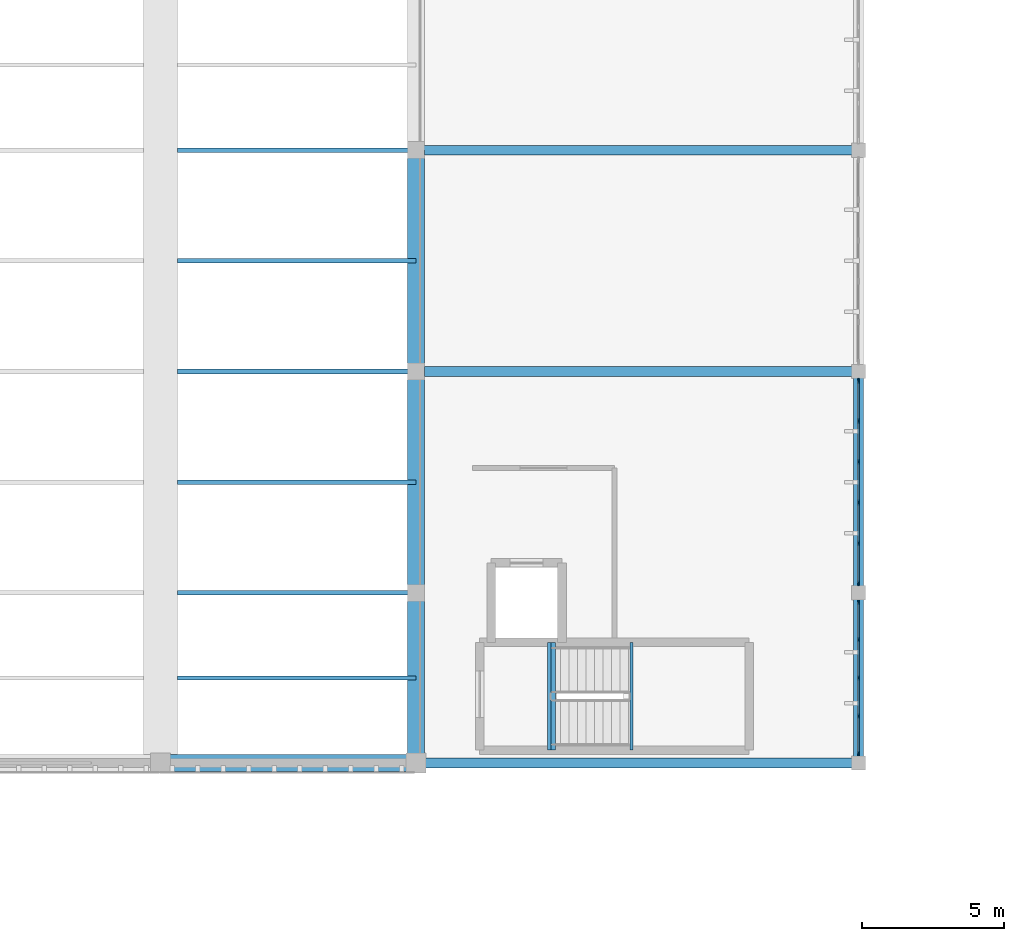
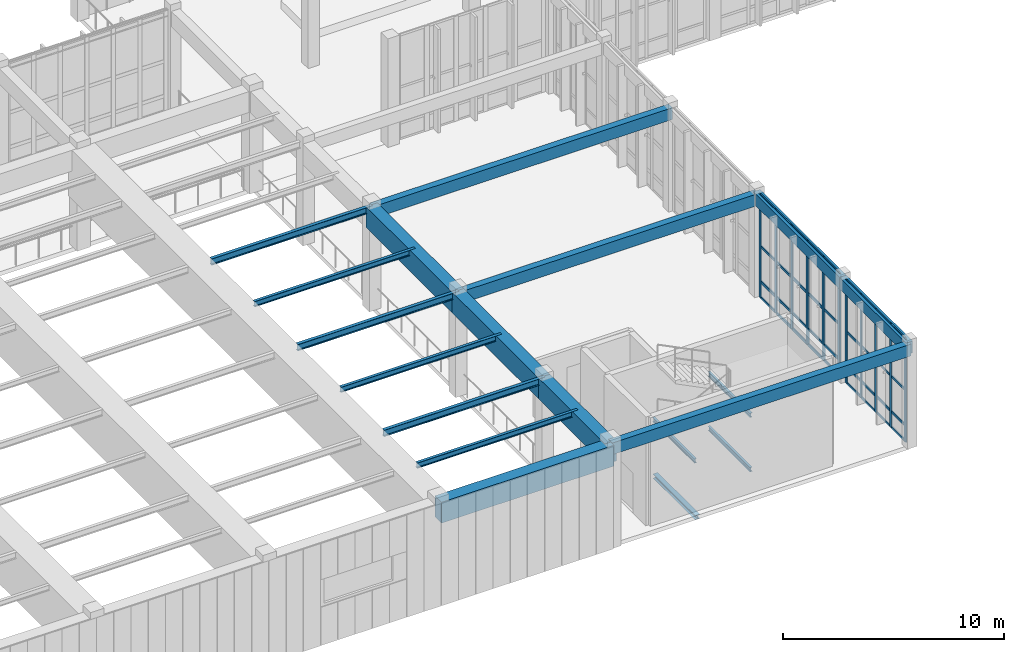
# One storey, part 44 of 105: 47 members, 19 beams, 2 elements without a shape of their own.
"""IFC4 building model written with IfcOpenShell, lengths in metres."""

from ifc_helpers import new_model, si_unit, direction, frame, origin, origin_2d, place, context, subcontext, project, spatial, rectangle, i_section, extrude, material, material_profile, profile_set, type_object, element, aggregate, save


model = new_model("IFC4")

# Units and contexts
model_context = context("Model", 3, precision=1e-05, world=origin(), true_north=direction((0.0, 1.0)))
body_context = subcontext(model_context, "Body", "Model", "MODEL_VIEW")
ifc_project = project(units=[si_unit("LENGTHUNIT", "METRE"), si_unit("AREAUNIT", "SQUARE_METRE"), si_unit("VOLUMEUNIT", "CUBIC_METRE"), si_unit("PLANEANGLEUNIT", "RADIAN"), si_unit("MASSUNIT", "GRAM", prefix="KILO")], contexts=[model_context])

# Site, building, storey
site_placement = place(None, origin())
site = spatial("IfcSite", under=ifc_project, at=site_placement, CompositionType="ELEMENT")
building_placement = place(site_placement, origin())
building = spatial("IfcBuilding", under=site, at=building_placement, Name="Tizgana Railside Sports Hall", CompositionType="ELEMENT")
storey_placement = place(building_placement, frame((0.0, 0.0, 6.0)))
storey = spatial("IfcBuildingStorey", under=building, at=storey_placement, Name="L01", CompositionType="ELEMENT", Elevation=6.0)

# Beams
ifc_material_1 = material(Name="Concrete C35/45", Category="concrete")
ifc_material_profile_1 = material_profile(ifc_material_1, rectangle(XDim=0.35009765625, YDim=0.64990234375, at=origin_2d()), Name="RCB 350x650")
ifc_profile_set_1 = profile_set([ifc_material_profile_1], Name="Concrete C35/45")
beam_type_1 = type_object("IfcBeamType", Name="Concrete Beam RCB 350x650", PredefinedType="BEAM", material=ifc_profile_set_1)
for number, where, z_axis, x_axis, name in (
    (1, (133.800048828125, 40.800048828125, 5.361083984375), (1.0, 0.0, 0.0), (0.0, 1.0, 0.0), "L01 BEM-1381"),
    (2, (133.800048828125, 54.60009765625, 5.31103515625), (1.0, 0.0, 0.0), (0.0, 1.0, 0.0), "L01 BEM-1382"),
    (3, (133.800048828125, 62.39990234375, 5.31103515625), (1.0, 0.0, 0.0), (0.0, 1.0, 0.0), "L01 BEM-1383"),
):
    element("IfcBeam", number, at=place(storey_placement, frame(where, z_axis=z_axis, x_axis=x_axis)), inside=storey, type_object=beam_type_1, Name=name, PredefinedType="BEAM", context=body_context, shape_type="SweptSolid", body=[
        extrude(rectangle(XDim=0.35009765625, YDim=0.64990234375, at=origin_2d()), origin(), (0.0, 0.0, 1.0), 15.599853515625),
    ])
beam_1_placement = place(storey_placement, frame((149.39990234375, 40.800048828125, 5.361083984375), z_axis=(0.0, 1.0, 0.0), x_axis=(-1.0, 0.0, 0.0)))
element("IfcBeam", 4, at=beam_1_placement, inside=storey, type_object=beam_type_1, Name="L01 BEM-1385", PredefinedType="BEAM", context=body_context, shape_type="SweptSolid", body=[
    extrude(rectangle(XDim=0.35009765625, YDim=0.64990234375, at=origin_2d()), origin(), (0.0, 0.0, 1.0), 6.0),
])
beam_2_placement = place(storey_placement, frame((149.39990234375, 46.800048828125, 5.361083984375), z_axis=(0.0, 1.0, 0.0), x_axis=(-1.0, 0.0, 0.0)))
element("IfcBeam", 5, at=beam_2_placement, inside=storey, type_object=beam_type_1, Name="L01 BEM-1386", PredefinedType="BEAM", context=body_context, shape_type="SweptSolid", body=[
    extrude(rectangle(XDim=0.35009765625, YDim=0.64990234375, at=origin_2d()), origin(), (0.0, 0.0, 1.0), 7.800048828125),
])
ifc_material_2 = material(Name="Concrete C40/50", Category="concrete")
ifc_material_profile_2 = material_profile(ifc_material_2, rectangle(XDim=0.60009765625, YDim=1.14990234375, at=origin_2d()), Name="RCB 600x1150")
ifc_profile_set_2 = profile_set([ifc_material_profile_2], Name="Concrete C40/50")
beam_type_2 = type_object("IfcBeamType", Name="Concrete Beam RCB 600x1150", PredefinedType="BEAM", material=ifc_profile_set_2)
beam_3_placement = place(storey_placement, frame((133.800048828125, 40.800048828125, 5.06103515625), z_axis=(0.0, 1.0, 0.0), x_axis=(-1.0, 0.0, 0.0)))
element("IfcBeam", 6, at=beam_3_placement, inside=storey, type_object=beam_type_2, Name="L01 CBG-0006", PredefinedType="BEAM", context=body_context, shape_type="SweptSolid", body=[
    extrude(rectangle(XDim=0.60009765625, YDim=1.14990234375, at=origin_2d()), origin(), (0.0, 0.0, 1.0), 6.0),
])
beam_4_placement = place(storey_placement, frame((133.800048828125, 46.800048828125, 5.06103515625), z_axis=(0.0, 1.0, 0.0), x_axis=(-1.0, 0.0, 0.0)))
element("IfcBeam", 7, at=beam_4_placement, inside=storey, type_object=beam_type_2, Name="L01 CBG-0007", PredefinedType="BEAM", context=body_context, shape_type="SweptSolid", body=[
    extrude(rectangle(XDim=0.60009765625, YDim=1.14990234375, at=origin_2d()), origin(), (0.0, 0.0, 1.0), 7.800048828125),
])
beam_5_placement = place(storey_placement, frame((133.800048828125, 54.60009765625, 5.06103515625), z_axis=(0.0, 1.0, 0.0), x_axis=(-1.0, 0.0, 0.0)))
element("IfcBeam", 8, at=beam_5_placement, inside=storey, type_object=beam_type_2, Name="L01 CBG-0008", PredefinedType="BEAM", context=body_context, shape_type="SweptSolid", body=[
    extrude(rectangle(XDim=0.60009765625, YDim=1.14990234375, at=origin_2d()), origin(), (0.0, 0.0, 1.0), 7.7998046875),
])
beam_6_placement = place(storey_placement, frame((124.800048828125, 40.800048828125, 5.06103515625), z_axis=(1.0, 0.0, 0.0), x_axis=(0.0, 1.0, 0.0)))
element("IfcBeam", 9, at=beam_6_placement, inside=storey, type_object=beam_type_2, Name="L01 BEM-0321", PredefinedType="BEAM", context=body_context, shape_type="SweptSolid", body=[
    extrude(rectangle(XDim=0.60009765625, YDim=1.14990234375, at=origin_2d()), origin(), (0.0, 0.0, 1.0), 9.0),
])

# Curtain wall, members
ifc_material_3 = material(Name="Anodised aluminium and glass", Category="aluminium")
curtain_wall_type_1 = type_object("IfcCurtainWallType", Name="Unitised Curtain Wall EastHall 1500", PredefinedType="NOTDEFINED", material=ifc_material_3)
curtain_wall_1_placement = place(storey_placement, origin())
curtain_wall_1 = element("IfcCurtainWall", 10, at=curtain_wall_1_placement, inside=storey, type_object=curtain_wall_type_1, Name="L01 Curtain Wall CW-0031", PredefinedType="NOTDEFINED")
ifc_material_4 = material(Name="Anodised aluminium", Category="aluminium")
ifc_material_profile_3 = material_profile(ifc_material_4, rectangle(XDim=0.06005859375, YDim=0.159912109375, at=origin_2d()), Name="Mullion 60x160")
ifc_profile_set_3 = profile_set([ifc_material_profile_3], Name="Anodised aluminium")
member_type_1 = type_object("IfcMemberType", Name="Mullion 60x160", PredefinedType="MULLION", material=ifc_profile_set_3)
member_1_placement = place(storey_placement, frame((149.39990234375, 41.135009765625, 0.0), z_axis=(0.0, 0.0, 1.0), x_axis=(-1.0, 0.0, 0.0)))
member_1 = element("IfcMember", 11, at=member_1_placement, type_object=member_type_1, Name="CW-08 mullion 1", PredefinedType="MULLION", context=body_context, shape_type="SweptSolid", body=[
    extrude(rectangle(XDim=0.06005859375, YDim=0.159912109375, at=origin_2d()), origin(), (0.0, 0.0, 1.0), 5.68994140625),
])
member_2_placement = place(storey_placement, frame((149.39990234375, 42.452392578125, 0.0), z_axis=(0.0, 0.0, 1.0), x_axis=(-1.0, 0.0, 0.0)))
member_2 = element("IfcMember", 12, at=member_2_placement, type_object=member_type_1, Name="CW-08 mullion 2", PredefinedType="MULLION", context=body_context, shape_type="SweptSolid", body=[
    extrude(rectangle(XDim=0.06005859375, YDim=0.159912109375, at=origin_2d()), origin(), (0.0, 0.0, 1.0), 5.68994140625),
])
member_3_placement = place(storey_placement, frame((149.39990234375, 43.800048828125, 0.0), z_axis=(0.0, 0.0, 1.0), x_axis=(-1.0, 0.0, 0.0)))
member_3 = element("IfcMember", 13, at=member_3_placement, type_object=member_type_1, Name="CW-08 mullion 3", PredefinedType="MULLION", context=body_context, shape_type="SweptSolid", body=[
    extrude(rectangle(XDim=0.06005859375, YDim=0.159912109375, at=origin_2d()), origin(), (0.0, 0.0, 1.0), 5.68994140625),
])
member_4_placement = place(storey_placement, frame((149.39990234375, 45.1474609375, 0.0), z_axis=(0.0, 0.0, 1.0), x_axis=(-1.0, 0.0, 0.0)))
member_4 = element("IfcMember", 14, at=member_4_placement, type_object=member_type_1, Name="CW-08 mullion 4", PredefinedType="MULLION", context=body_context, shape_type="SweptSolid", body=[
    extrude(rectangle(XDim=0.06005859375, YDim=0.159912109375, at=origin_2d()), origin(), (0.0, 0.0, 1.0), 5.68994140625),
])
member_5_placement = place(storey_placement, frame((149.39990234375, 46.465087890625, 0.0), z_axis=(0.0, 0.0, 1.0), x_axis=(-1.0, 0.0, 0.0)))
member_5 = element("IfcMember", 15, at=member_5_placement, type_object=member_type_1, Name="CW-08 mullion 5", PredefinedType="MULLION", context=body_context, shape_type="SweptSolid", body=[
    extrude(rectangle(XDim=0.06005859375, YDim=0.159912109375, at=origin_2d()), origin(), (0.0, 0.0, 1.0), 5.68994140625),
])

curtain_wall_type_2 = type_object("IfcCurtainWallType", Name="Unitised Curtain Wall Concourse 1500", PredefinedType="NOTDEFINED", material=ifc_material_3)
curtain_wall_2_placement = place(storey_placement, origin())
curtain_wall_2 = element("IfcCurtainWall", 16, at=curtain_wall_2_placement, inside=storey, type_object=curtain_wall_type_2, Name="L01 Curtain Wall CW-0032", PredefinedType="NOTDEFINED")
ifc_material_profile_4 = material_profile(ifc_material_4, rectangle(XDim=0.06005859375, YDim=0.179931640625, at=origin_2d()), Name="Mullion 60x180")
ifc_profile_set_4 = profile_set([ifc_material_profile_4], Name="Anodised aluminium")
member_type_2 = type_object("IfcMemberType", Name="Mullion 60x180", PredefinedType="MULLION", material=ifc_profile_set_4)
member_6_placement = place(storey_placement, frame((149.39990234375, 47.135009765625, 0.0), z_axis=(0.0, 0.0, 1.0), x_axis=(-1.0, 0.0, 0.0)))
member_6 = element("IfcMember", 17, at=member_6_placement, type_object=member_type_2, Name="CW-01 mullion 1", PredefinedType="MULLION", context=body_context, shape_type="SweptSolid", body=[
    extrude(rectangle(XDim=0.06005859375, YDim=0.179931640625, at=origin_2d()), origin(), (0.0, 0.0, 1.0), 5.68994140625),
])
member_7_placement = place(storey_placement, frame((149.39990234375, 48.54296875, 0.0), z_axis=(0.0, 0.0, 1.0), x_axis=(-1.0, 0.0, 0.0)))
member_7 = element("IfcMember", 18, at=member_7_placement, type_object=member_type_2, Name="CW-01 mullion 2", PredefinedType="MULLION", context=body_context, shape_type="SweptSolid", body=[
    extrude(rectangle(XDim=0.06005859375, YDim=0.179931640625, at=origin_2d()), origin(), (0.0, 0.0, 1.0), 5.68994140625),
])
member_8_placement = place(storey_placement, frame((149.39990234375, 49.98095703125, 0.0), z_axis=(0.0, 0.0, 1.0), x_axis=(-1.0, 0.0, 0.0)))
member_8 = element("IfcMember", 19, at=member_8_placement, type_object=member_type_2, Name="CW-01 mullion 3", PredefinedType="MULLION", context=body_context, shape_type="SweptSolid", body=[
    extrude(rectangle(XDim=0.06005859375, YDim=0.179931640625, at=origin_2d()), origin(), (0.0, 0.0, 1.0), 5.68994140625),
])
member_9_placement = place(storey_placement, frame((149.39990234375, 51.4189453125, 0.0), z_axis=(0.0, 0.0, 1.0), x_axis=(-1.0, 0.0, 0.0)))
member_9 = element("IfcMember", 20, at=member_9_placement, type_object=member_type_2, Name="CW-01 mullion 4", PredefinedType="MULLION", context=body_context, shape_type="SweptSolid", body=[
    extrude(rectangle(XDim=0.06005859375, YDim=0.179931640625, at=origin_2d()), origin(), (0.0, 0.0, 1.0), 5.68994140625),
])
member_10_placement = place(storey_placement, frame((149.39990234375, 52.85693359375, 0.0), z_axis=(0.0, 0.0, 1.0), x_axis=(-1.0, 0.0, 0.0)))
member_10 = element("IfcMember", 21, at=member_10_placement, type_object=member_type_2, Name="CW-01 mullion 5", PredefinedType="MULLION", context=body_context, shape_type="SweptSolid", body=[
    extrude(rectangle(XDim=0.06005859375, YDim=0.179931640625, at=origin_2d()), origin(), (0.0, 0.0, 1.0), 5.68994140625),
])
member_11_placement = place(storey_placement, frame((149.39990234375, 54.264892578125, 0.0), z_axis=(0.0, 0.0, 1.0), x_axis=(-1.0, 0.0, 0.0)))
member_11 = element("IfcMember", 22, at=member_11_placement, type_object=member_type_2, Name="CW-01 mullion 6", PredefinedType="MULLION", context=body_context, shape_type="SweptSolid", body=[
    extrude(rectangle(XDim=0.06005859375, YDim=0.179931640625, at=origin_2d()), origin(), (0.0, 0.0, 1.0), 5.68994140625),
])

# Beams
ifc_material_5 = material(Name="Steel S355J2", Category="steel")
ifc_material_profile_5 = material_profile(ifc_material_5, i_section(OverallWidth=0.1201171875, OverallDepth=0.239990234375, WebThickness=0.006103515625, FlangeThickness=0.009765625, FilletRadius=0.014892578125, at=origin_2d()), Name="IPE 240")
ifc_profile_set_5 = profile_set([ifc_material_profile_5], Name="Steel S355J2")
beam_type_3 = type_object("IfcBeamType", Name="Stair Mid-Landing Header IPE 240", PredefinedType="JOIST", material=ifc_profile_set_5)
for number, where, z_axis, x_axis, name in (
    (23, (141.39990234375, 41.25, 1.177978515625), (0.0, 1.0, 0.0), (-1.0, 0.0, 0.0), "L01 C5 Mid Header 1"),
    (24, (138.5, 41.25, 2.677978515625), (0.0, 1.0, 0.0), (-1.0, 0.0, 0.0), "L01 C5 Mid Header 2"),
    (25, (141.39990234375, 41.25, 4.177978515625), (0.0, 1.0, 0.0), (-1.0, 0.0, 0.0), "L01 C5 Mid Header 3"),
):
    element("IfcBeam", number, at=place(storey_placement, frame(where, z_axis=z_axis, x_axis=x_axis)), inside=storey, type_object=beam_type_3, Name=name, PredefinedType="JOIST", context=body_context, shape_type="SweptSolid", body=[
        extrude(i_section(OverallWidth=0.1201171875, OverallDepth=0.239990234375, WebThickness=0.006103515625, FlangeThickness=0.009765625, FilletRadius=0.014892578125, at=origin_2d()), origin(), (0.0, 0.0, 1.0), 3.800048828125),
    ])
ifc_material_profile_6 = material_profile(ifc_material_5, i_section(OverallWidth=0.239990234375, OverallDepth=0.239990234375, WebThickness=0.010009765625, FlangeThickness=0.01708984375, FilletRadius=0.02099609375, at=origin_2d()), Name="HEB 240")
ifc_profile_set_6 = profile_set([ifc_material_profile_6], Name="Steel S355J2")
beam_type_4 = type_object("IfcBeamType", Name="Steel Beam HEB 240", PredefinedType="BEAM", material=ifc_profile_set_6)
beam_7_placement = place(storey_placement, frame((138.60009765625, 41.25, -0.4619140625), z_axis=(0.0, 1.0, 0.0), x_axis=(-1.0, 0.0, 0.0)))
element("IfcBeam", 26, at=beam_7_placement, inside=storey, type_object=beam_type_4, Name="L01 C5 Landing Header", PredefinedType="BEAM", context=body_context, shape_type="SweptSolid", body=[
    extrude(i_section(OverallWidth=0.239990234375, OverallDepth=0.239990234375, WebThickness=0.010009765625, FlangeThickness=0.01708984375, FilletRadius=0.02099609375, at=origin_2d()), origin(), (0.0, 0.0, 1.0), 3.800048828125),
])
ifc_material_profile_7 = material_profile(ifc_material_5, i_section(OverallWidth=0.14990234375, OverallDepth=0.300048828125, WebThickness=0.007080078125, FlangeThickness=0.0107421875, FilletRadius=0.014892578125, at=origin_2d()), Name="IPE 300")
ifc_profile_set_7 = profile_set([ifc_material_profile_7], Name="Steel S355J2")
beam_type_5 = type_object("IfcBeamType", Name="Steel Joist IPE 300", PredefinedType="JOIST", material=ifc_profile_set_7)
for number, where, z_axis, x_axis, name in (
    (27, (125.39501953125, 43.800048828125, 5.486083984375), (1.0, 0.0, 0.0), (0.0, 1.0, 0.0), "L01 BEM-0328"),
    (28, (125.39501953125, 50.699951171875, 5.486083984375), (1.0, 0.0, 0.0), (0.0, 1.0, 0.0), "L01 BEM-0329"),
    (29, (125.39501953125, 58.5, 5.486083984375), (1.0, 0.0, 0.0), (0.0, 1.0, 0.0), "L01 BEM-0330"),
):
    element("IfcBeam", number, at=place(storey_placement, frame(where, z_axis=z_axis, x_axis=x_axis)), inside=storey, type_object=beam_type_5, Name=name, PredefinedType="JOIST", context=body_context, shape_type="SweptSolid", body=[
        extrude(i_section(OverallWidth=0.14990234375, OverallDepth=0.300048828125, WebThickness=0.007080078125, FlangeThickness=0.0107421875, FilletRadius=0.014892578125, at=origin_2d()), origin(), (0.0, 0.0, 1.0), 8.405029296875),
    ])
ifc_material_profile_8 = material_profile(ifc_material_5, i_section(OverallWidth=0.169921875, OverallDepth=0.360107421875, WebThickness=0.008056640625, FlangeThickness=0.0126953125, FilletRadius=0.01806640625, at=origin_2d()), Name="IPE 360")
ifc_profile_set_8 = profile_set([ifc_material_profile_8], Name="Steel S355J2")
beam_type_6 = type_object("IfcBeamType", Name="Steel Joist IPE 360", PredefinedType="JOIST", material=ifc_profile_set_8)
for number, where, z_axis, x_axis, name in (
    (30, (125.39501953125, 46.800048828125, 5.4560546875), (1.0, 0.0, 0.0), (0.0, 1.0, 0.0), "L01 BEM-0322"),
    (31, (125.39501953125, 54.60009765625, 5.4560546875), (1.0, 0.0, 0.0), (0.0, 1.0, 0.0), "L01 BEM-0323"),
    (32, (125.39501953125, 62.39990234375, 5.4560546875), (1.0, 0.0, 0.0), (0.0, 1.0, 0.0), "L01 BEM-0324"),
):
    element("IfcBeam", number, at=place(storey_placement, frame(where, z_axis=z_axis, x_axis=x_axis)), inside=storey, type_object=beam_type_6, Name=name, PredefinedType="JOIST", context=body_context, shape_type="SweptSolid", body=[
        extrude(i_section(OverallWidth=0.169921875, OverallDepth=0.360107421875, WebThickness=0.008056640625, FlangeThickness=0.0126953125, FilletRadius=0.01806640625, at=origin_2d()), origin(), (0.0, 0.0, 1.0), 8.405029296875),
    ])

# Member
ifc_material_profile_9 = material_profile(ifc_material_4, rectangle(XDim=0.06005859375, YDim=0.1298828125, at=origin_2d()), Name="Transom 60x130")
ifc_profile_set_9 = profile_set([ifc_material_profile_9], Name="Anodised aluminium")
member_type_3 = type_object("IfcMemberType", Name="Transom 60x130", PredefinedType="USERDEFINED", material=ifc_profile_set_9)
member_12_placement = place(storey_placement, frame((149.39990234375, 41.1650390625, 0.030029296875), z_axis=(0.0, 1.0, 0.0), x_axis=(-1.0, 0.0, 0.0)))
member_12 = element("IfcMember", 33, at=member_12_placement, type_object=member_type_3, Name="CW-08 transom 1.1", ObjectType="TRANSOM", PredefinedType="USERDEFINED", context=body_context, shape_type="SweptSolid", body=[
    extrude(rectangle(XDim=0.06005859375, YDim=0.1298828125, at=origin_2d()), origin(), (0.0, 0.0, 1.0), 1.257568359375),
])

member_13_placement = place(storey_placement, frame((149.39990234375, 41.1650390625, 0.89990234375), z_axis=(0.0, 1.0, 0.0), x_axis=(-1.0, 0.0, 0.0)))
member_13 = element("IfcMember", 34, at=member_13_placement, type_object=member_type_3, Name="CW-08 transom 1.2", ObjectType="TRANSOM", PredefinedType="USERDEFINED", context=body_context, shape_type="SweptSolid", body=[
    extrude(rectangle(XDim=0.06005859375, YDim=0.1298828125, at=origin_2d()), origin(), (0.0, 0.0, 1.0), 1.257568359375),
])

member_14_placement = place(storey_placement, frame((149.39990234375, 41.1650390625, 2.844970703125), z_axis=(0.0, 1.0, 0.0), x_axis=(-1.0, 0.0, 0.0)))
member_14 = element("IfcMember", 35, at=member_14_placement, type_object=member_type_3, Name="CW-08 transom 1.3", ObjectType="TRANSOM", PredefinedType="USERDEFINED", context=body_context, shape_type="SweptSolid", body=[
    extrude(rectangle(XDim=0.06005859375, YDim=0.1298828125, at=origin_2d()), origin(), (0.0, 0.0, 1.0), 1.257568359375),
])

member_15_placement = place(storey_placement, frame((149.39990234375, 41.1650390625, 5.659912109375), z_axis=(0.0, 1.0, 0.0), x_axis=(-1.0, 0.0, 0.0)))
member_15 = element("IfcMember", 36, at=member_15_placement, type_object=member_type_3, Name="CW-08 transom 1.4", ObjectType="TRANSOM", PredefinedType="USERDEFINED", context=body_context, shape_type="SweptSolid", body=[
    extrude(rectangle(XDim=0.06005859375, YDim=0.1298828125, at=origin_2d()), origin(), (0.0, 0.0, 1.0), 1.257568359375),
])

member_16_placement = place(storey_placement, frame((149.39990234375, 42.482421875, 0.030029296875), z_axis=(0.0, 1.0, 0.0), x_axis=(-1.0, 0.0, 0.0)))
member_16 = element("IfcMember", 37, at=member_16_placement, type_object=member_type_3, Name="CW-08 transom 2.1", ObjectType="TRANSOM", PredefinedType="USERDEFINED", context=body_context, shape_type="SweptSolid", body=[
    extrude(rectangle(XDim=0.06005859375, YDim=0.1298828125, at=origin_2d()), origin(), (0.0, 0.0, 1.0), 1.28759765625),
])

member_17_placement = place(storey_placement, frame((149.39990234375, 42.482421875, 0.89990234375), z_axis=(0.0, 1.0, 0.0), x_axis=(-1.0, 0.0, 0.0)))
member_17 = element("IfcMember", 38, at=member_17_placement, type_object=member_type_3, Name="CW-08 transom 2.2", ObjectType="TRANSOM", PredefinedType="USERDEFINED", context=body_context, shape_type="SweptSolid", body=[
    extrude(rectangle(XDim=0.06005859375, YDim=0.1298828125, at=origin_2d()), origin(), (0.0, 0.0, 1.0), 1.28759765625),
])

member_18_placement = place(storey_placement, frame((149.39990234375, 42.482421875, 2.844970703125), z_axis=(0.0, 1.0, 0.0), x_axis=(-1.0, 0.0, 0.0)))
member_18 = element("IfcMember", 39, at=member_18_placement, type_object=member_type_3, Name="CW-08 transom 2.3", ObjectType="TRANSOM", PredefinedType="USERDEFINED", context=body_context, shape_type="SweptSolid", body=[
    extrude(rectangle(XDim=0.06005859375, YDim=0.1298828125, at=origin_2d()), origin(), (0.0, 0.0, 1.0), 1.28759765625),
])

member_19_placement = place(storey_placement, frame((149.39990234375, 42.482421875, 5.659912109375), z_axis=(0.0, 1.0, 0.0), x_axis=(-1.0, 0.0, 0.0)))
member_19 = element("IfcMember", 40, at=member_19_placement, type_object=member_type_3, Name="CW-08 transom 2.4", ObjectType="TRANSOM", PredefinedType="USERDEFINED", context=body_context, shape_type="SweptSolid", body=[
    extrude(rectangle(XDim=0.06005859375, YDim=0.1298828125, at=origin_2d()), origin(), (0.0, 0.0, 1.0), 1.28759765625),
])

member_20_placement = place(storey_placement, frame((149.39990234375, 43.830078125, 0.030029296875), z_axis=(0.0, 1.0, 0.0), x_axis=(-1.0, 0.0, 0.0)))
member_20 = element("IfcMember", 41, at=member_20_placement, type_object=member_type_3, Name="CW-08 transom 3.1", ObjectType="TRANSOM", PredefinedType="USERDEFINED", context=body_context, shape_type="SweptSolid", body=[
    extrude(rectangle(XDim=0.06005859375, YDim=0.1298828125, at=origin_2d()), origin(), (0.0, 0.0, 1.0), 1.287353515625),
])

member_21_placement = place(storey_placement, frame((149.39990234375, 43.830078125, 0.89990234375), z_axis=(0.0, 1.0, 0.0), x_axis=(-1.0, 0.0, 0.0)))
member_21 = element("IfcMember", 42, at=member_21_placement, type_object=member_type_3, Name="CW-08 transom 3.2", ObjectType="TRANSOM", PredefinedType="USERDEFINED", context=body_context, shape_type="SweptSolid", body=[
    extrude(rectangle(XDim=0.06005859375, YDim=0.1298828125, at=origin_2d()), origin(), (0.0, 0.0, 1.0), 1.287353515625),
])

member_22_placement = place(storey_placement, frame((149.39990234375, 43.830078125, 2.844970703125), z_axis=(0.0, 1.0, 0.0), x_axis=(-1.0, 0.0, 0.0)))
member_22 = element("IfcMember", 43, at=member_22_placement, type_object=member_type_3, Name="CW-08 transom 3.3", ObjectType="TRANSOM", PredefinedType="USERDEFINED", context=body_context, shape_type="SweptSolid", body=[
    extrude(rectangle(XDim=0.06005859375, YDim=0.1298828125, at=origin_2d()), origin(), (0.0, 0.0, 1.0), 1.287353515625),
])

member_23_placement = place(storey_placement, frame((149.39990234375, 43.830078125, 5.659912109375), z_axis=(0.0, 1.0, 0.0), x_axis=(-1.0, 0.0, 0.0)))
member_23 = element("IfcMember", 44, at=member_23_placement, type_object=member_type_3, Name="CW-08 transom 3.4", ObjectType="TRANSOM", PredefinedType="USERDEFINED", context=body_context, shape_type="SweptSolid", body=[
    extrude(rectangle(XDim=0.06005859375, YDim=0.1298828125, at=origin_2d()), origin(), (0.0, 0.0, 1.0), 1.287353515625),
])

member_24_placement = place(storey_placement, frame((149.39990234375, 45.177490234375, 0.030029296875), z_axis=(0.0, 1.0, 0.0), x_axis=(-1.0, 0.0, 0.0)))
member_24 = element("IfcMember", 45, at=member_24_placement, type_object=member_type_3, Name="CW-08 transom 4.1", ObjectType="TRANSOM", PredefinedType="USERDEFINED", context=body_context, shape_type="SweptSolid", body=[
    extrude(rectangle(XDim=0.06005859375, YDim=0.1298828125, at=origin_2d()), origin(), (0.0, 0.0, 1.0), 1.257568359375),
])

member_25_placement = place(storey_placement, frame((149.39990234375, 45.177490234375, 0.89990234375), z_axis=(0.0, 1.0, 0.0), x_axis=(-1.0, 0.0, 0.0)))
member_25 = element("IfcMember", 46, at=member_25_placement, type_object=member_type_3, Name="CW-08 transom 4.2", ObjectType="TRANSOM", PredefinedType="USERDEFINED", context=body_context, shape_type="SweptSolid", body=[
    extrude(rectangle(XDim=0.06005859375, YDim=0.1298828125, at=origin_2d()), origin(), (0.0, 0.0, 1.0), 1.257568359375),
])

member_26_placement = place(storey_placement, frame((149.39990234375, 45.177490234375, 2.844970703125), z_axis=(0.0, 1.0, 0.0), x_axis=(-1.0, 0.0, 0.0)))
member_26 = element("IfcMember", 47, at=member_26_placement, type_object=member_type_3, Name="CW-08 transom 4.3", ObjectType="TRANSOM", PredefinedType="USERDEFINED", context=body_context, shape_type="SweptSolid", body=[
    extrude(rectangle(XDim=0.06005859375, YDim=0.1298828125, at=origin_2d()), origin(), (0.0, 0.0, 1.0), 1.257568359375),
])

member_27_placement = place(storey_placement, frame((149.39990234375, 45.177490234375, 5.659912109375), z_axis=(0.0, 1.0, 0.0), x_axis=(-1.0, 0.0, 0.0)))
member_27 = element("IfcMember", 48, at=member_27_placement, type_object=member_type_3, Name="CW-08 transom 4.4", ObjectType="TRANSOM", PredefinedType="USERDEFINED", context=body_context, shape_type="SweptSolid", body=[
    extrude(rectangle(XDim=0.06005859375, YDim=0.1298828125, at=origin_2d()), origin(), (0.0, 0.0, 1.0), 1.257568359375),
])

aggregate(curtain_wall_1, [member_1, member_2, member_3, member_4, member_5, member_12, member_13, member_14, member_15, member_16, member_17, member_18, member_19, member_20, member_21, member_22, member_23, member_24, member_25, member_26, member_27])

ifc_material_profile_10 = material_profile(ifc_material_4, rectangle(XDim=0.06005859375, YDim=0.14990234375, at=origin_2d()), Name="Transom 60x150")
ifc_profile_set_10 = profile_set([ifc_material_profile_10], Name="Anodised aluminium")
member_type_4 = type_object("IfcMemberType", Name="Transom 60x150", PredefinedType="USERDEFINED", material=ifc_profile_set_10)
member_28_placement = place(storey_placement, frame((149.39990234375, 47.1650390625, 0.030029296875), z_axis=(0.0, 1.0, 0.0), x_axis=(-1.0, 0.0, 0.0)))
member_28 = element("IfcMember", 49, at=member_28_placement, type_object=member_type_4, Name="CW-01 transom 1.1", ObjectType="TRANSOM", PredefinedType="USERDEFINED", context=body_context, shape_type="SweptSolid", body=[
    extrude(rectangle(XDim=0.06005859375, YDim=0.14990234375, at=origin_2d()), origin(), (0.0, 0.0, 1.0), 1.347900390625),
])

member_29_placement = place(storey_placement, frame((149.39990234375, 47.1650390625, 0.89990234375), z_axis=(0.0, 1.0, 0.0), x_axis=(-1.0, 0.0, 0.0)))
member_29 = element("IfcMember", 50, at=member_29_placement, type_object=member_type_4, Name="CW-01 transom 1.2", ObjectType="TRANSOM", PredefinedType="USERDEFINED", context=body_context, shape_type="SweptSolid", body=[
    extrude(rectangle(XDim=0.06005859375, YDim=0.14990234375, at=origin_2d()), origin(), (0.0, 0.0, 1.0), 1.347900390625),
])

member_30_placement = place(storey_placement, frame((149.39990234375, 47.1650390625, 2.844970703125), z_axis=(0.0, 1.0, 0.0), x_axis=(-1.0, 0.0, 0.0)))
member_30 = element("IfcMember", 51, at=member_30_placement, type_object=member_type_4, Name="CW-01 transom 1.3", ObjectType="TRANSOM", PredefinedType="USERDEFINED", context=body_context, shape_type="SweptSolid", body=[
    extrude(rectangle(XDim=0.06005859375, YDim=0.14990234375, at=origin_2d()), origin(), (0.0, 0.0, 1.0), 1.347900390625),
])

member_31_placement = place(storey_placement, frame((149.39990234375, 47.1650390625, 5.659912109375), z_axis=(0.0, 1.0, 0.0), x_axis=(-1.0, 0.0, 0.0)))
member_31 = element("IfcMember", 52, at=member_31_placement, type_object=member_type_4, Name="CW-01 transom 1.4", ObjectType="TRANSOM", PredefinedType="USERDEFINED", context=body_context, shape_type="SweptSolid", body=[
    extrude(rectangle(XDim=0.06005859375, YDim=0.14990234375, at=origin_2d()), origin(), (0.0, 0.0, 1.0), 1.347900390625),
])

member_32_placement = place(storey_placement, frame((149.39990234375, 48.572998046875, 0.030029296875), z_axis=(0.0, 1.0, 0.0), x_axis=(-1.0, 0.0, 0.0)))
member_32 = element("IfcMember", 53, at=member_32_placement, type_object=member_type_4, Name="CW-01 transom 2.1", ObjectType="TRANSOM", PredefinedType="USERDEFINED", context=body_context, shape_type="SweptSolid", body=[
    extrude(rectangle(XDim=0.06005859375, YDim=0.14990234375, at=origin_2d()), origin(), (0.0, 0.0, 1.0), 1.3779296875),
])

member_33_placement = place(storey_placement, frame((149.39990234375, 48.572998046875, 0.89990234375), z_axis=(0.0, 1.0, 0.0), x_axis=(-1.0, 0.0, 0.0)))
member_33 = element("IfcMember", 54, at=member_33_placement, type_object=member_type_4, Name="CW-01 transom 2.2", ObjectType="TRANSOM", PredefinedType="USERDEFINED", context=body_context, shape_type="SweptSolid", body=[
    extrude(rectangle(XDim=0.06005859375, YDim=0.14990234375, at=origin_2d()), origin(), (0.0, 0.0, 1.0), 1.3779296875),
])

member_34_placement = place(storey_placement, frame((149.39990234375, 48.572998046875, 2.844970703125), z_axis=(0.0, 1.0, 0.0), x_axis=(-1.0, 0.0, 0.0)))
member_34 = element("IfcMember", 55, at=member_34_placement, type_object=member_type_4, Name="CW-01 transom 2.3", ObjectType="TRANSOM", PredefinedType="USERDEFINED", context=body_context, shape_type="SweptSolid", body=[
    extrude(rectangle(XDim=0.06005859375, YDim=0.14990234375, at=origin_2d()), origin(), (0.0, 0.0, 1.0), 1.3779296875),
])

member_35_placement = place(storey_placement, frame((149.39990234375, 48.572998046875, 5.659912109375), z_axis=(0.0, 1.0, 0.0), x_axis=(-1.0, 0.0, 0.0)))
member_35 = element("IfcMember", 56, at=member_35_placement, type_object=member_type_4, Name="CW-01 transom 2.4", ObjectType="TRANSOM", PredefinedType="USERDEFINED", context=body_context, shape_type="SweptSolid", body=[
    extrude(rectangle(XDim=0.06005859375, YDim=0.14990234375, at=origin_2d()), origin(), (0.0, 0.0, 1.0), 1.3779296875),
])

member_36_placement = place(storey_placement, frame((149.39990234375, 50.010986328125, 0.030029296875), z_axis=(0.0, 1.0, 0.0), x_axis=(-1.0, 0.0, 0.0)))
member_36 = element("IfcMember", 57, at=member_36_placement, type_object=member_type_4, Name="CW-01 transom 3.1", ObjectType="TRANSOM", PredefinedType="USERDEFINED", context=body_context, shape_type="SweptSolid", body=[
    extrude(rectangle(XDim=0.06005859375, YDim=0.14990234375, at=origin_2d()), origin(), (0.0, 0.0, 1.0), 1.3779296875),
])

member_37_placement = place(storey_placement, frame((149.39990234375, 50.010986328125, 0.89990234375), z_axis=(0.0, 1.0, 0.0), x_axis=(-1.0, 0.0, 0.0)))
member_37 = element("IfcMember", 58, at=member_37_placement, type_object=member_type_4, Name="CW-01 transom 3.2", ObjectType="TRANSOM", PredefinedType="USERDEFINED", context=body_context, shape_type="SweptSolid", body=[
    extrude(rectangle(XDim=0.06005859375, YDim=0.14990234375, at=origin_2d()), origin(), (0.0, 0.0, 1.0), 1.3779296875),
])

member_38_placement = place(storey_placement, frame((149.39990234375, 50.010986328125, 2.844970703125), z_axis=(0.0, 1.0, 0.0), x_axis=(-1.0, 0.0, 0.0)))
member_38 = element("IfcMember", 59, at=member_38_placement, type_object=member_type_4, Name="CW-01 transom 3.3", ObjectType="TRANSOM", PredefinedType="USERDEFINED", context=body_context, shape_type="SweptSolid", body=[
    extrude(rectangle(XDim=0.06005859375, YDim=0.14990234375, at=origin_2d()), origin(), (0.0, 0.0, 1.0), 1.3779296875),
])

member_39_placement = place(storey_placement, frame((149.39990234375, 50.010986328125, 5.659912109375), z_axis=(0.0, 1.0, 0.0), x_axis=(-1.0, 0.0, 0.0)))
member_39 = element("IfcMember", 60, at=member_39_placement, type_object=member_type_4, Name="CW-01 transom 3.4", ObjectType="TRANSOM", PredefinedType="USERDEFINED", context=body_context, shape_type="SweptSolid", body=[
    extrude(rectangle(XDim=0.06005859375, YDim=0.14990234375, at=origin_2d()), origin(), (0.0, 0.0, 1.0), 1.3779296875),
])

member_40_placement = place(storey_placement, frame((149.39990234375, 51.448974609375, 0.030029296875), z_axis=(0.0, 1.0, 0.0), x_axis=(-1.0, 0.0, 0.0)))
member_40 = element("IfcMember", 61, at=member_40_placement, type_object=member_type_4, Name="CW-01 transom 4.1", ObjectType="TRANSOM", PredefinedType="USERDEFINED", context=body_context, shape_type="SweptSolid", body=[
    extrude(rectangle(XDim=0.06005859375, YDim=0.14990234375, at=origin_2d()), origin(), (0.0, 0.0, 1.0), 1.3779296875),
])

member_41_placement = place(storey_placement, frame((149.39990234375, 51.448974609375, 0.89990234375), z_axis=(0.0, 1.0, 0.0), x_axis=(-1.0, 0.0, 0.0)))
member_41 = element("IfcMember", 62, at=member_41_placement, type_object=member_type_4, Name="CW-01 transom 4.2", ObjectType="TRANSOM", PredefinedType="USERDEFINED", context=body_context, shape_type="SweptSolid", body=[
    extrude(rectangle(XDim=0.06005859375, YDim=0.14990234375, at=origin_2d()), origin(), (0.0, 0.0, 1.0), 1.3779296875),
])

member_42_placement = place(storey_placement, frame((149.39990234375, 51.448974609375, 2.844970703125), z_axis=(0.0, 1.0, 0.0), x_axis=(-1.0, 0.0, 0.0)))
member_42 = element("IfcMember", 63, at=member_42_placement, type_object=member_type_4, Name="CW-01 transom 4.3", ObjectType="TRANSOM", PredefinedType="USERDEFINED", context=body_context, shape_type="SweptSolid", body=[
    extrude(rectangle(XDim=0.06005859375, YDim=0.14990234375, at=origin_2d()), origin(), (0.0, 0.0, 1.0), 1.3779296875),
])

member_43_placement = place(storey_placement, frame((149.39990234375, 51.448974609375, 5.659912109375), z_axis=(0.0, 1.0, 0.0), x_axis=(-1.0, 0.0, 0.0)))
member_43 = element("IfcMember", 64, at=member_43_placement, type_object=member_type_4, Name="CW-01 transom 4.4", ObjectType="TRANSOM", PredefinedType="USERDEFINED", context=body_context, shape_type="SweptSolid", body=[
    extrude(rectangle(XDim=0.06005859375, YDim=0.14990234375, at=origin_2d()), origin(), (0.0, 0.0, 1.0), 1.3779296875),
])

member_44_placement = place(storey_placement, frame((149.39990234375, 52.886962890625, 0.030029296875), z_axis=(0.0, 1.0, 0.0), x_axis=(-1.0, 0.0, 0.0)))
member_44 = element("IfcMember", 65, at=member_44_placement, type_object=member_type_4, Name="CW-01 transom 5.1", ObjectType="TRANSOM", PredefinedType="USERDEFINED", context=body_context, shape_type="SweptSolid", body=[
    extrude(rectangle(XDim=0.06005859375, YDim=0.14990234375, at=origin_2d()), origin(), (0.0, 0.0, 1.0), 1.34814453125),
])

member_45_placement = place(storey_placement, frame((149.39990234375, 52.886962890625, 0.89990234375), z_axis=(0.0, 1.0, 0.0), x_axis=(-1.0, 0.0, 0.0)))
member_45 = element("IfcMember", 66, at=member_45_placement, type_object=member_type_4, Name="CW-01 transom 5.2", ObjectType="TRANSOM", PredefinedType="USERDEFINED", context=body_context, shape_type="SweptSolid", body=[
    extrude(rectangle(XDim=0.06005859375, YDim=0.14990234375, at=origin_2d()), origin(), (0.0, 0.0, 1.0), 1.34814453125),
])

member_46_placement = place(storey_placement, frame((149.39990234375, 52.886962890625, 2.844970703125), z_axis=(0.0, 1.0, 0.0), x_axis=(-1.0, 0.0, 0.0)))
member_46 = element("IfcMember", 67, at=member_46_placement, type_object=member_type_4, Name="CW-01 transom 5.3", ObjectType="TRANSOM", PredefinedType="USERDEFINED", context=body_context, shape_type="SweptSolid", body=[
    extrude(rectangle(XDim=0.06005859375, YDim=0.14990234375, at=origin_2d()), origin(), (0.0, 0.0, 1.0), 1.34814453125),
])

member_47_placement = place(storey_placement, frame((149.39990234375, 52.886962890625, 5.659912109375), z_axis=(0.0, 1.0, 0.0), x_axis=(-1.0, 0.0, 0.0)))
member_47 = element("IfcMember", 68, at=member_47_placement, type_object=member_type_4, Name="CW-01 transom 5.4", ObjectType="TRANSOM", PredefinedType="USERDEFINED", context=body_context, shape_type="SweptSolid", body=[
    extrude(rectangle(XDim=0.06005859375, YDim=0.14990234375, at=origin_2d()), origin(), (0.0, 0.0, 1.0), 1.34814453125),
])

aggregate(curtain_wall_2, [member_6, member_7, member_8, member_9, member_10, member_11, member_28, member_29, member_30, member_31, member_32, member_33, member_34, member_35, member_36, member_37, member_38, member_39, member_40, member_41, member_42, member_43, member_44, member_45, member_46, member_47])

save(model, "model.ifc")
